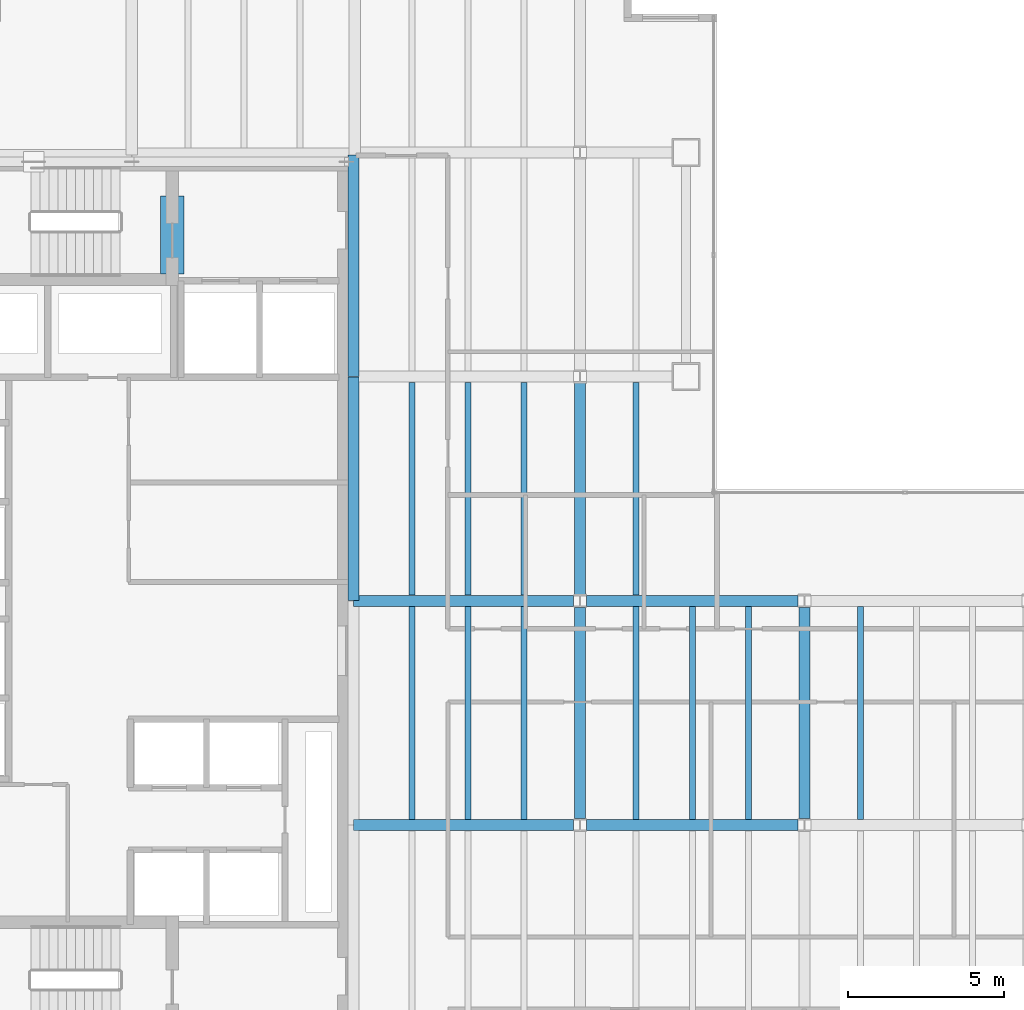
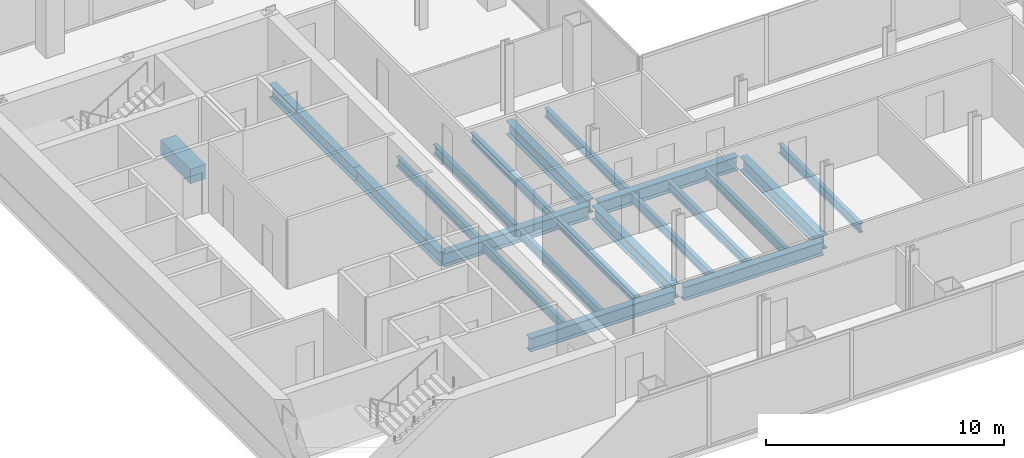
# One storey, part 6 of 24: 21 beams.
"""IFC4 building model written with IfcOpenShell, lengths in metres."""

from ifc_helpers import new_model, si_unit, direction, frame, origin, origin_2d, place, context, subcontext, project, spatial, rectangle, i_section, extrude, material, material_profile, profile_set, type_object, element, save


model = new_model("IFC4")

# Units and contexts
model_context = context("Model", 3, precision=1e-05, world=origin(), true_north=direction((0.0, 1.0)))
body_context = subcontext(model_context, "Body", "Model", "MODEL_VIEW")
ifc_project = project(units=[si_unit("LENGTHUNIT", "METRE"), si_unit("AREAUNIT", "SQUARE_METRE"), si_unit("VOLUMEUNIT", "CUBIC_METRE"), si_unit("PLANEANGLEUNIT", "RADIAN"), si_unit("MASSUNIT", "GRAM", prefix="KILO")], contexts=[model_context])

# Site, building, storey
site_placement = place(None, origin())
site = spatial("IfcSite", under=ifc_project, at=site_placement, CompositionType="ELEMENT")
building_placement = place(site_placement, origin())
building = spatial("IfcBuilding", under=site, at=building_placement, Name="Cobrela Telecom Tower", CompositionType="ELEMENT")
storey_placement = place(building_placement, frame((0.0, 0.0, 121.449951171875)))
storey = spatial("IfcBuildingStorey", under=building, at=storey_placement, Name="L30", CompositionType="ELEMENT", Elevation=121.449951171875)

# Beams
ifc_material_1 = material(Name="Concrete C40/50", Category="concrete")
ifc_material_profile_1 = material_profile(ifc_material_1, rectangle(XDim=0.75, YDim=0.75, at=origin_2d()), Name="RC 750x750")
ifc_profile_set_1 = profile_set([ifc_material_profile_1], Name="Concrete C40/50")
beam_type_1 = type_object("IfcBeamType", Name="BM-COUP-RC", PredefinedType="LINTEL", material=ifc_profile_set_1)
beam_1_placement = place(storey_placement, frame((8.5, 32.10009765625, -0.619873046875), z_axis=(0.0, 1.0, 0.0), x_axis=(-1.0, 0.0, 0.0)))
element("IfcBeam", 1, at=beam_1_placement, inside=storey, type_object=beam_type_1, Name="L30 Core Coupling Lintel Beam", PredefinedType="LINTEL", context=body_context, shape_type="SweptSolid", body=[
    extrude(rectangle(XDim=0.75, YDim=0.75, at=origin_2d()), origin(), (0.0, 0.0, 1.0), 2.5),
])
ifc_material_2 = material(Name="Steel ASTM A992 Grade 50", Category="steel")
ifc_material_profile_2 = material_profile(ifc_material_2, i_section(OverallWidth=0.35595703125, OverallDepth=0.696044921875, WebThickness=0.015380859375, FlangeThickness=0.024658203125, FilletRadius=0.01806640625, at=origin_2d()), Name="W27X146")
ifc_profile_set_2 = profile_set([ifc_material_profile_2], Name="Steel ASTM A992 Grade 50")
beam_type_2 = type_object("IfcBeamType", Name="BM-GIRD-05", PredefinedType="USERDEFINED", material=ifc_profile_set_2)
beam_2_placement = place(storey_placement, frame((14.324951171875, 14.39990234375, -0.617919921875), z_axis=(1.0, 0.0, 0.0), x_axis=(0.0, 1.0, 0.0)))
element("IfcBeam", 2, at=beam_2_placement, inside=storey, type_object=beam_type_2, Name="L30 Primary Girder X13", ObjectType="GIRDER", PredefinedType="USERDEFINED", context=body_context, shape_type="SweptSolid", body=[
    extrude(i_section(OverallWidth=0.35595703125, OverallDepth=0.696044921875, WebThickness=0.015380859375, FlangeThickness=0.024658203125, FilletRadius=0.01806640625, at=origin_2d()), origin(), (0.0, 0.0, 1.0), 7.0654296875),
])
beam_3_placement = place(storey_placement, frame((21.8095703125, 14.39990234375, -0.617919921875), z_axis=(1.0, 0.0, 0.0), x_axis=(0.0, 1.0, 0.0)))
element("IfcBeam", 3, at=beam_3_placement, inside=storey, type_object=beam_type_2, Name="L30 Primary Girder X14", ObjectType="GIRDER", PredefinedType="USERDEFINED", context=body_context, shape_type="SweptSolid", body=[
    extrude(i_section(OverallWidth=0.35595703125, OverallDepth=0.696044921875, WebThickness=0.015380859375, FlangeThickness=0.024658203125, FilletRadius=0.01806640625, at=origin_2d()), origin(), (0.0, 0.0, 1.0), 6.781005859375),
])
beam_4_placement = place(storey_placement, frame((14.324951171875, 21.60009765625, -0.617919921875), z_axis=(1.0, 0.0, 0.0), x_axis=(0.0, 1.0, 0.0)))
element("IfcBeam", 4, at=beam_4_placement, inside=storey, type_object=beam_type_2, Name="L30 Primary Girder X18", ObjectType="GIRDER", PredefinedType="USERDEFINED", context=body_context, shape_type="SweptSolid", body=[
    extrude(i_section(OverallWidth=0.35595703125, OverallDepth=0.696044921875, WebThickness=0.015380859375, FlangeThickness=0.024658203125, FilletRadius=0.01806640625, at=origin_2d()), origin(), (0.0, 0.0, 1.0), 7.0654296875),
])
beam_5_placement = place(storey_placement, frame((21.8095703125, 21.60009765625, -0.617919921875), z_axis=(1.0, 0.0, 0.0), x_axis=(0.0, 1.0, 0.0)))
element("IfcBeam", 5, at=beam_5_placement, inside=storey, type_object=beam_type_2, Name="L30 Primary Girder X19", ObjectType="GIRDER", PredefinedType="USERDEFINED", context=body_context, shape_type="SweptSolid", body=[
    extrude(i_section(OverallWidth=0.35595703125, OverallDepth=0.696044921875, WebThickness=0.015380859375, FlangeThickness=0.024658203125, FilletRadius=0.01806640625, at=origin_2d()), origin(), (0.0, 0.0, 1.0), 6.781005859375),
])
beam_6_placement = place(storey_placement, frame((14.320068359375, 21.60498046875, -0.617919921875), z_axis=(0.0, 1.0, 0.0), x_axis=(-1.0, 0.0, 0.0)))
element("IfcBeam", 6, at=beam_6_placement, inside=storey, type_object=beam_type_2, Name="L30 Primary Girder Y36", ObjectType="GIRDER", PredefinedType="USERDEFINED", context=body_context, shape_type="SweptSolid", body=[
    extrude(i_section(OverallWidth=0.35595703125, OverallDepth=0.696044921875, WebThickness=0.015380859375, FlangeThickness=0.024658203125, FilletRadius=0.01806640625, at=origin_2d()), origin(), (0.0, 0.0, 1.0), 7.18994140625),
])
beam_7_placement = place(storey_placement, frame((14.320068359375, 28.804931640625, -0.617919921875), z_axis=(0.0, 1.0, 0.0), x_axis=(-1.0, 0.0, 0.0)))
element("IfcBeam", 7, at=beam_7_placement, inside=storey, type_object=beam_type_2, Name="L30 Primary Girder Y37", ObjectType="GIRDER", PredefinedType="USERDEFINED", context=body_context, shape_type="SweptSolid", body=[
    extrude(i_section(OverallWidth=0.35595703125, OverallDepth=0.696044921875, WebThickness=0.015380859375, FlangeThickness=0.024658203125, FilletRadius=0.01806640625, at=origin_2d()), origin(), (0.0, 0.0, 1.0), 7.110107421875),
])
beam_8_placement = place(storey_placement, frame((21.60009765625, 14.609619140625, -0.617919921875), z_axis=(0.0, 1.0, 0.0), x_axis=(-1.0, 0.0, 0.0)))
element("IfcBeam", 8, at=beam_8_placement, inside=storey, type_object=beam_type_2, Name="L30 Primary Girder Y41", ObjectType="GIRDER", PredefinedType="USERDEFINED", context=body_context, shape_type="SweptSolid", body=[
    extrude(i_section(OverallWidth=0.35595703125, OverallDepth=0.696044921875, WebThickness=0.015380859375, FlangeThickness=0.024658203125, FilletRadius=0.01806640625, at=origin_2d()), origin(), (0.0, 0.0, 1.0), 6.78076171875),
])
beam_9_placement = place(storey_placement, frame((21.60009765625, 21.8095703125, -0.617919921875), z_axis=(0.0, 1.0, 0.0), x_axis=(-1.0, 0.0, 0.0)))
element("IfcBeam", 9, at=beam_9_placement, inside=storey, type_object=beam_type_2, Name="L30 Primary Girder Y42", ObjectType="GIRDER", PredefinedType="USERDEFINED", context=body_context, shape_type="SweptSolid", body=[
    extrude(i_section(OverallWidth=0.35595703125, OverallDepth=0.696044921875, WebThickness=0.015380859375, FlangeThickness=0.024658203125, FilletRadius=0.01806640625, at=origin_2d()), origin(), (0.0, 0.0, 1.0), 6.781005859375),
])
beam_10_placement = place(storey_placement, frame((28.800048828125, 14.609619140625, -0.617919921875), z_axis=(0.0, 1.0, 0.0), x_axis=(-1.0, 0.0, 0.0)))
element("IfcBeam", 10, at=beam_10_placement, inside=storey, type_object=beam_type_2, Name="L30 Primary Girder Y48", ObjectType="GIRDER", PredefinedType="USERDEFINED", context=body_context, shape_type="SweptSolid", body=[
    extrude(i_section(OverallWidth=0.35595703125, OverallDepth=0.696044921875, WebThickness=0.015380859375, FlangeThickness=0.024658203125, FilletRadius=0.01806640625, at=origin_2d()), origin(), (0.0, 0.0, 1.0), 6.78076171875),
])
ifc_material_profile_3 = material_profile(ifc_material_2, i_section(OverallWidth=0.193115234375, OverallDepth=0.467041015625, WebThickness=0.011474609375, FlangeThickness=0.01904296875, FilletRadius=0.012939453125, at=origin_2d()), Name="W18X65")
ifc_profile_set_3 = profile_set([ifc_material_profile_3], Name="Steel ASTM A992 Grade 50")
beam_type_3 = type_object("IfcBeamType", Name="BM-JOIST-03", PredefinedType="JOIST", material=ifc_profile_set_3)
for number, where, z_axis, x_axis, name in (
    (11, (16.199951171875, 14.5830078125, -0.50341796875), (0.0, 1.0, 0.0), (-1.0, 0.0, 0.0), "L30 Secondary Composite Floor Beam J05"),
    (12, (16.199951171875, 21.782958984375, -0.50341796875), (0.0, 1.0, 0.0), (-1.0, 0.0, 0.0), "L30 Secondary Composite Floor Beam J06"),
    (13, (18.0, 14.5830078125, -0.50341796875), (0.0, 1.0, 0.0), (-1.0, 0.0, 0.0), "L30 Secondary Composite Floor Beam J10"),
    (14, (18.0, 21.782958984375, -0.50341796875), (0.0, 1.0, 0.0), (-1.0, 0.0, 0.0), "L30 Secondary Composite Floor Beam J11"),
    (15, (19.800048828125, 14.5830078125, -0.50341796875), (0.0, 1.0, 0.0), (-1.0, 0.0, 0.0), "L30 Secondary Composite Floor Beam J15"),
    (16, (19.800048828125, 21.782958984375, -0.50341796875), (0.0, 1.0, 0.0), (-1.0, 0.0, 0.0), "L30 Secondary Composite Floor Beam J16"),
    (17, (23.39990234375, 14.5830078125, -0.50341796875), (0.0, 1.0, 0.0), (-1.0, 0.0, 0.0), "L30 Secondary Composite Floor Beam J20"),
    (18, (23.39990234375, 21.782958984375, -0.50341796875), (0.0, 1.0, 0.0), (-1.0, 0.0, 0.0), "L30 Secondary Composite Floor Beam J21"),
    (19, (25.199951171875, 14.5830078125, -0.50341796875), (0.0, 1.0, 0.0), (-1.0, 0.0, 0.0), "L30 Secondary Composite Floor Beam J24"),
    (20, (27.0, 14.5830078125, -0.50341796875), (0.0, 1.0, 0.0), (-1.0, 0.0, 0.0), "L30 Secondary Composite Floor Beam J26"),
    (21, (30.60009765625, 14.5830078125, -0.50341796875), (0.0, 1.0, 0.0), (-1.0, 0.0, 0.0), "L30 Secondary Composite Floor Beam J28"),
):
    element("IfcBeam", number, at=place(storey_placement, frame(where, z_axis=z_axis, x_axis=x_axis)), inside=storey, type_object=beam_type_3, Name=name, PredefinedType="JOIST", context=body_context, shape_type="SweptSolid", body=[
        extrude(i_section(OverallWidth=0.193115234375, OverallDepth=0.467041015625, WebThickness=0.011474609375, FlangeThickness=0.01904296875, FilletRadius=0.012939453125, at=origin_2d()), origin(), (0.0, 0.0, 1.0), 6.833984375),
    ])

save(model, "model.ifc")
